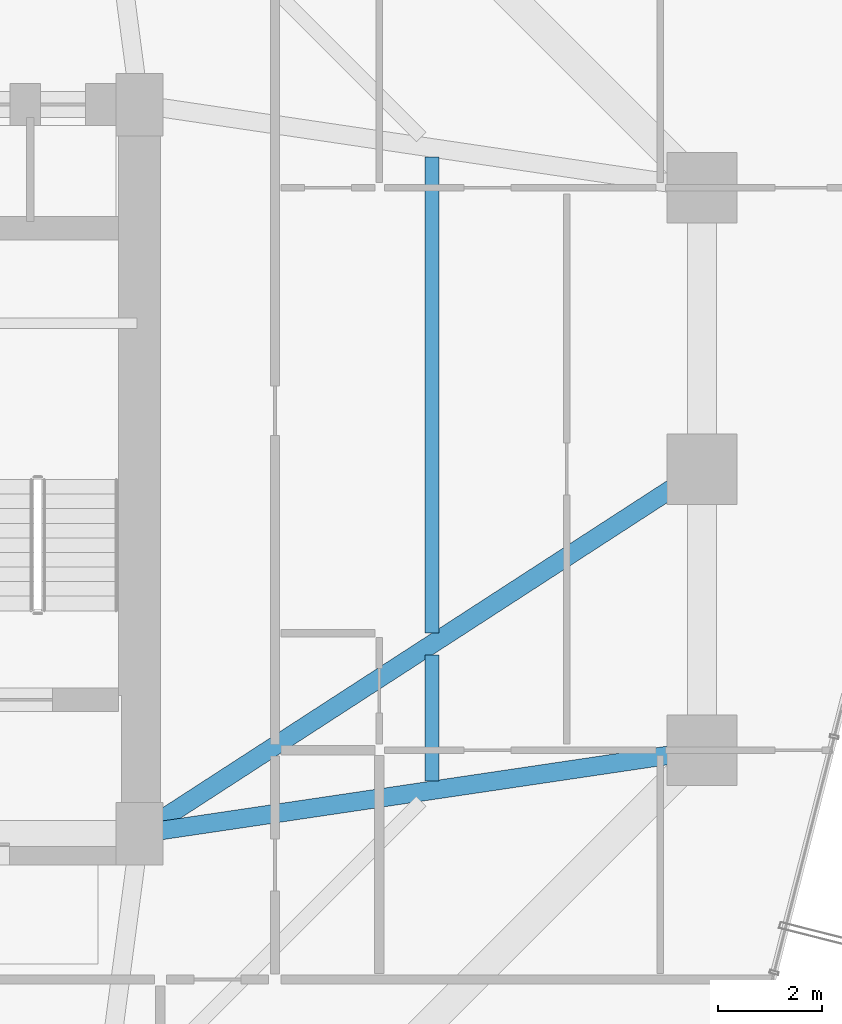
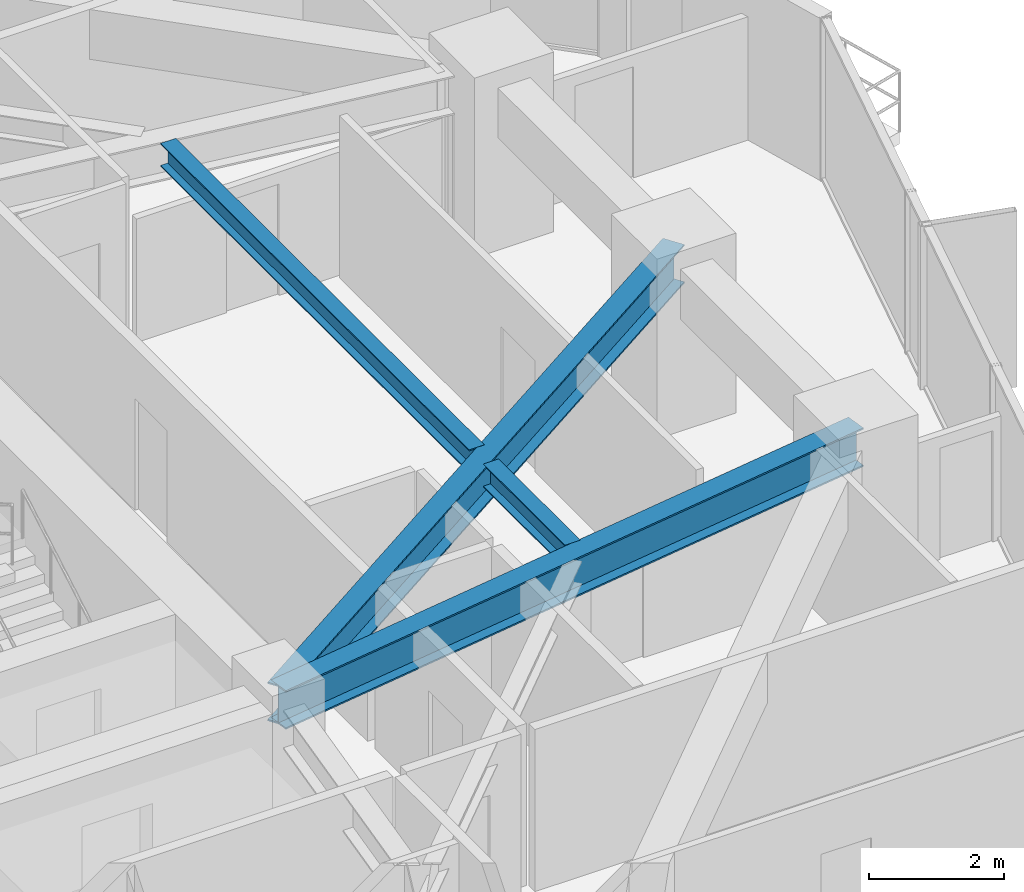
# One storey, part 16 of 39: 4 beams.
"""IFC4 building model written with IfcOpenShell, lengths in metres."""

from ifc_helpers import new_model, si_unit, direction, frame, origin, origin_2d, place, context, subcontext, project, spatial, i_section, extrude, material, material_profile, profile_set, type_object, element, save


model = new_model("IFC4")

# Units and contexts
model_context = context("Model", 3, precision=1e-05, world=origin(), true_north=direction((0.0, 1.0)))
body_context = subcontext(model_context, "Body", "Model", "MODEL_VIEW")
ifc_project = project(units=[si_unit("LENGTHUNIT", "METRE"), si_unit("AREAUNIT", "SQUARE_METRE"), si_unit("VOLUMEUNIT", "CUBIC_METRE"), si_unit("PLANEANGLEUNIT", "RADIAN"), si_unit("MASSUNIT", "GRAM", prefix="KILO")], contexts=[model_context])

# Site, building, storey
site_placement = place(None, origin())
site = spatial("IfcSite", under=ifc_project, at=site_placement, CompositionType="ELEMENT")
building_placement = place(site_placement, origin())
building = spatial("IfcBuilding", under=site, at=building_placement, Name="Veraguas Prism Commons", CompositionType="ELEMENT")
storey_placement = place(building_placement, frame((0.0, 0.0, 77.10009765625)))
storey = spatial("IfcBuildingStorey", under=building, at=storey_placement, Name="L21", CompositionType="ELEMENT", Elevation=77.10009765625)

# Beams
ifc_material = material(Name="Steel ASTM A992 Grade 50", Category="steel")
ifc_material_profile_1 = material_profile(ifc_material, i_section(OverallWidth=0.260986328125, OverallDepth=0.419921875, WebThickness=0.01171875, FlangeThickness=0.019287109375, at=origin_2d()), Name="W410X114")
ifc_profile_set_1 = profile_set([ifc_material_profile_1], Name="Steel ASTM A992 Grade 50")
beam_type_1 = type_object("IfcBeamType", Name="Lower Floor Joist W410x114", PredefinedType="JOIST", material=ifc_profile_set_1)
beam_1_placement = place(storey_placement, frame((36.416015625, 18.010009765625, 2.719970703125), z_axis=(0.0, 1.0, 0.0), x_axis=(-1.0, 0.0, 0.0)))
element("IfcBeam", 1, at=beam_1_placement, inside=storey, type_object=beam_type_1, Name="Composite Floor Joist L21-JS01", PredefinedType="JOIST", context=body_context, shape_type="SweptSolid", body=[
    extrude(i_section(OverallWidth=0.260986328125, OverallDepth=0.419921875, WebThickness=0.01171875, FlangeThickness=0.019287109375, at=origin_2d()), origin(), (0.0, 0.0, 1.0), 2.42041015625),
])
beam_2_placement = place(storey_placement, frame((36.416015625, 20.849609375, 2.719970703125), z_axis=(0.0, 1.0, 0.0), x_axis=(-1.0, 0.0, 0.0)))
element("IfcBeam", 2, at=beam_2_placement, inside=storey, type_object=beam_type_1, Name="Composite Floor Joist L21-JS02", PredefinedType="JOIST", context=body_context, shape_type="SweptSolid", body=[
    extrude(i_section(OverallWidth=0.260986328125, OverallDepth=0.419921875, WebThickness=0.01171875, FlangeThickness=0.019287109375, at=origin_2d()), origin(), (0.0, 0.0, 1.0), 9.140380859375),
])
ifc_material_profile_2 = material_profile(ifc_material, i_section(OverallWidth=0.35595703125, OverallDepth=0.700927734375, WebThickness=0.016845703125, FlangeThickness=0.02734375, at=origin_2d()), Name="W690X240")
ifc_profile_set_2 = profile_set([ifc_material_profile_2], Name="Steel ASTM A992 Grade 50")
beam_type_2 = type_object("IfcBeamType", Name="Zone 1 Radial Girder W690x240", PredefinedType="BEAM", material=ifc_profile_set_2)
beam_3_placement = place(storey_placement, frame((41.60009765625, 18.60009765625, 2.579345703125), z_axis=(-0.989202261707, -0.146556765224, 0.0), x_axis=(0.146556765224, -0.989202261707, 0.0)))
element("IfcBeam", 3, at=beam_3_placement, inside=storey, type_object=beam_type_2, Name="Radial Floor Girder L21-RD01", PredefinedType="BEAM", context=body_context, shape_type="SweptSolid", body=[
    extrude(i_section(OverallWidth=0.35595703125, OverallDepth=0.700927734375, WebThickness=0.016845703125, FlangeThickness=0.02734375, at=origin_2d()), origin(), (0.0, 0.0, 1.0), 10.91796875),
])
beam_4_placement = place(storey_placement, frame((41.60009765625, 24.0, 2.579345703125), z_axis=(-0.839154108875, -0.543893722668, 0.0), x_axis=(0.543893722668, -0.839154108875, 0.0)))
element("IfcBeam", 4, at=beam_4_placement, inside=storey, type_object=beam_type_2, Name="Radial Floor Girder L21-RD02", PredefinedType="BEAM", context=body_context, shape_type="SweptSolid", body=[
    extrude(i_section(OverallWidth=0.35595703125, OverallDepth=0.700927734375, WebThickness=0.016845703125, FlangeThickness=0.02734375, at=origin_2d()), origin(), (0.0, 0.0, 1.0), 12.8701171875),
])

save(model, "model.ifc")
